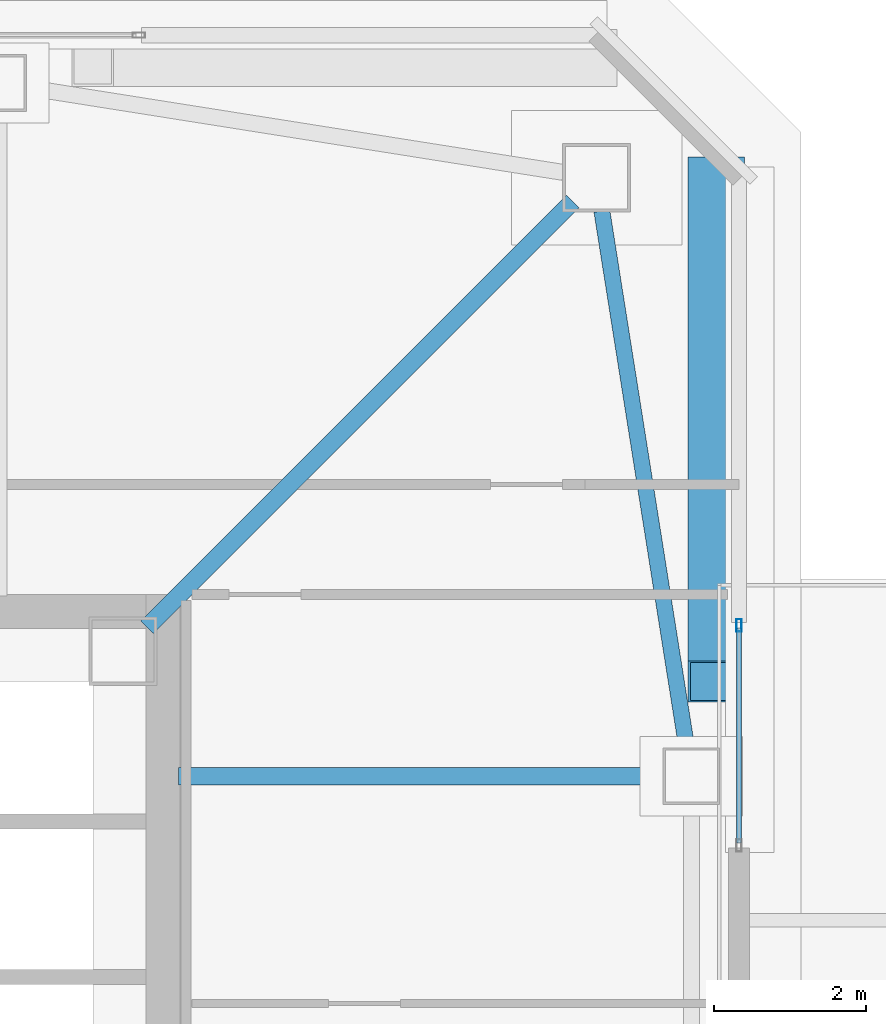
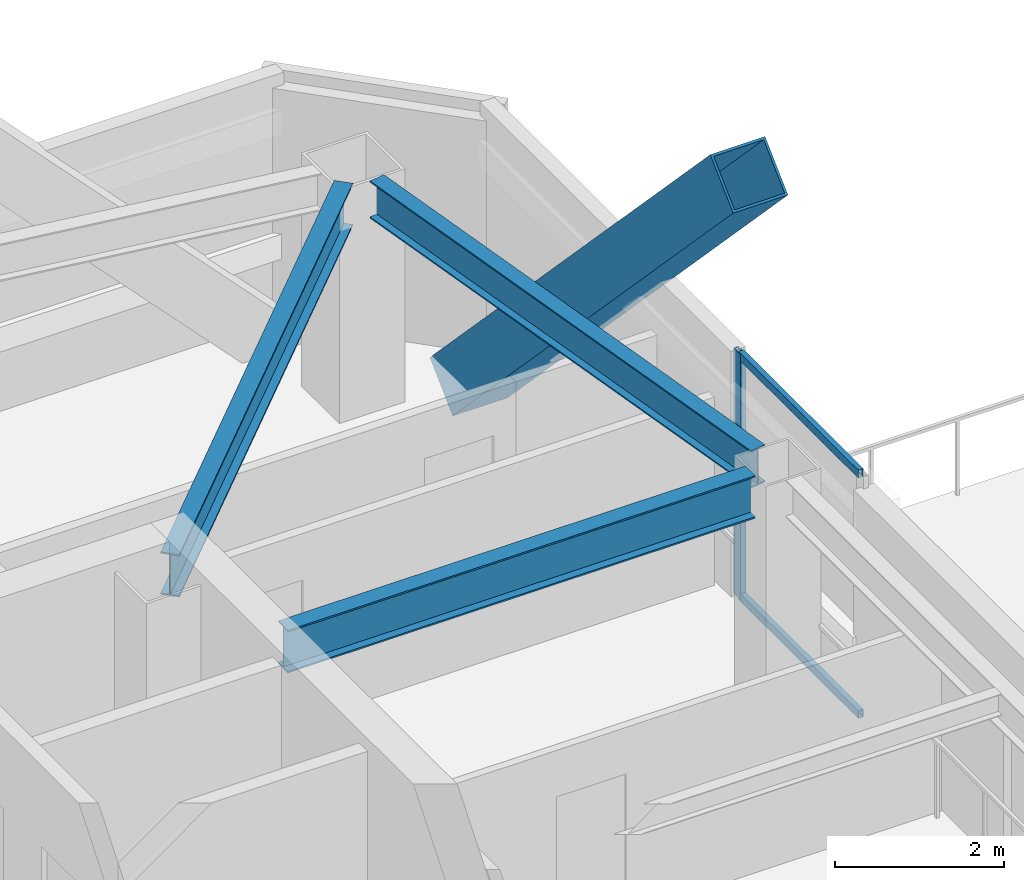
# One storey, part 12 of 37: 4 members, 3 beams, 1 element without a shape of its own.
"""IFC4 building model written with IfcOpenShell, lengths in metres."""

from ifc_helpers import new_model, si_unit, direction, frame, origin, origin_2d, place, context, subcontext, project, spatial, hollow_rectangle, i_section, extrude, material, material_profile, profile_set, type_object, element, aggregate, save


model = new_model("IFC4")

# Units and contexts
model_context = context("Model", 3, precision=1e-05, world=origin(), true_north=direction((0.0, 1.0)))
body_context = subcontext(model_context, "Body", "Model", "MODEL_VIEW")
ifc_project = project(units=[si_unit("LENGTHUNIT", "METRE"), si_unit("AREAUNIT", "SQUARE_METRE"), si_unit("VOLUMEUNIT", "CUBIC_METRE"), si_unit("PLANEANGLEUNIT", "RADIAN"), si_unit("MASSUNIT", "GRAM", prefix="KILO")], contexts=[model_context])

# Site, building, storey
site_placement = place(None, origin())
site = spatial("IfcSite", under=ifc_project, at=site_placement, CompositionType="ELEMENT")
building_placement = place(site_placement, origin())
building = spatial("IfcBuilding", under=site, at=building_placement, Name="Tashvorn Skyway Center", CompositionType="ELEMENT")
storey_placement = place(building_placement, frame((0.0, 0.0, 263.39990234375)))
storey = spatial("IfcBuildingStorey", under=building, at=storey_placement, Name="L71", CompositionType="ELEMENT", Elevation=263.39990234375)

# Beams
ifc_material_1 = material(Name="Steel ASTM A992 Grade 50", Category="steel")
ifc_material_profile_1 = material_profile(ifc_material_1, i_section(OverallWidth=0.22998046875, OverallDepth=0.616943359375, WebThickness=0.01318359375, FlangeThickness=0.022216796875, at=origin_2d()), Name="W24X94")
ifc_profile_set_1 = profile_set([ifc_material_profile_1], Name="Steel ASTM A992 Grade 50")
beam_type_1 = type_object("IfcBeamType", Name="BM-BEAM-W24X94", PredefinedType="BEAM", material=ifc_profile_set_1)
beam_1_placement = place(storey_placement, frame((54.9853515625, 44.9853515625, 3.0615234375), z_axis=(-0.707106781187, -0.707106781187, 0.0), x_axis=(0.707106781187, -0.707106781187, 0.0)))
element("IfcBeam", 1, at=beam_1_placement, inside=storey, type_object=beam_type_1, Name="Tower 1 L71 Primary Floor Girder MC-NE", PredefinedType="BEAM", context=body_context, shape_type="SweptSolid", body=[
    extrude(i_section(OverallWidth=0.22998046875, OverallDepth=0.616943359375, WebThickness=0.01318359375, FlangeThickness=0.022216796875, at=origin_2d()), origin(), (0.0, 0.0, 1.0), 7.94873046875),
])
beam_2_placement = place(storey_placement, frame((56.179931640625, 37.39990234375, 3.0615234375), z_axis=(-1.0, 0.0, 0.0), x_axis=(0.0, -1.0, 0.0)))
element("IfcBeam", 2, at=beam_2_placement, inside=storey, type_object=beam_type_1, Name="Tower 1 L71 Primary Floor Girder FC-E2", PredefinedType="BEAM", context=body_context, shape_type="SweptSolid", body=[
    extrude(i_section(OverallWidth=0.22998046875, OverallDepth=0.616943359375, WebThickness=0.01318359375, FlangeThickness=0.022216796875, at=origin_2d()), origin(), (0.0, 0.0, 1.0), 6.39990234375),
])
ifc_material_profile_2 = material_profile(ifc_material_1, i_section(OverallWidth=0.2109375, OverallDepth=0.5390625, WebThickness=0.01171875, FlangeThickness=0.018798828125, at=origin_2d()), Name="W21X73")
ifc_profile_set_2 = profile_set([ifc_material_profile_2], Name="Steel ASTM A992 Grade 50")
beam_type_2 = type_object("IfcBeamType", Name="BM-SPANDREL-W21X73", PredefinedType="SPANDREL", material=ifc_profile_set_2)
beam_3_placement = place(storey_placement, frame((56.4921875, 37.765380859375, 3.1005859375), z_axis=(-0.156274976, 0.987713587978, 0.0), x_axis=(-0.987713587978, -0.156274976, 0.0)))
element("IfcBeam", 3, at=beam_3_placement, inside=storey, type_object=beam_type_2, Name="Tower 1 L71 Spandrel Beam 06", PredefinedType="SPANDREL", context=body_context, shape_type="SweptSolid", body=[
    extrude(i_section(OverallWidth=0.2109375, OverallDepth=0.5390625, WebThickness=0.01171875, FlangeThickness=0.018798828125, at=origin_2d()), origin(), (0.0, 0.0, 1.0), 7.18310546875),
])

# Curtain wall, members
ifc_material_2 = material(Name="Thermally broken bronze-anodized aluminium 6063-T6", Category="aluminium")
curtain_wall_type = type_object("IfcCurtainWallType", Name="CW-CW-Z5", PredefinedType="NOTDEFINED", material=ifc_material_2)
curtain_wall_placement = place(storey_placement, origin())
curtain_wall = element("IfcCurtainWall", 4, at=curtain_wall_placement, inside=storey, type_object=curtain_wall_type, Name="Tower 1 L71 East Curtain Wall L Glazing Group 1", PredefinedType="NOTDEFINED")
ifc_material_profile_3 = material_profile(ifc_material_2, hollow_rectangle(XDim=0.070068359375, YDim=0.1650390625, WallThickness=0.00390625, at=origin_2d()), Name="ALU-MULL-70x165")
ifc_profile_set_3 = profile_set([ifc_material_profile_3], Name="Thermally broken bronze-anodized aluminium 6063-T6")
member_type_1 = type_object("IfcMemberType", Name="CWM-CW-Z5", PredefinedType="MULLION", material=ifc_profile_set_3)
member_1_placement = place(storey_placement, frame((57.179931640625, 39.3916015625, 0.0), z_axis=(0.0, 0.0, 1.0), x_axis=(1.0, 0.0, 0.0)))
member_1 = element("IfcMember", 5, at=member_1_placement, type_object=member_type_1, Name="CW-Z5 mullion 1", PredefinedType="MULLION", context=body_context, shape_type="SweptSolid", body=[
    extrude(hollow_rectangle(XDim=0.070068359375, YDim=0.1650390625, WallThickness=0.00390625, at=origin_2d()), origin(), (0.0, 0.0, 1.0), 3.550048828125),
])
ifc_material_profile_4 = material_profile(ifc_material_2, hollow_rectangle(XDim=0.070068359375, YDim=0.114990234375, WallThickness=0.00390625, at=origin_2d()), Name="ALU-TRAN-70x115")
ifc_profile_set_4 = profile_set([ifc_material_profile_4], Name="Thermally broken bronze-anodized aluminium 6063-T6")
member_type_2 = type_object("IfcMemberType", Name="CWT-CW-Z5", PredefinedType="USERDEFINED", material=ifc_profile_set_4)
member_2_placement = place(storey_placement, frame((57.179931640625, 39.356689453125, 0.03515625), z_axis=(0.0, -1.0, 0.0), x_axis=(1.0, 0.0, 0.0)))
member_2 = element("IfcMember", 6, at=member_2_placement, type_object=member_type_2, Name="CW-Z5 transom 1.1", ObjectType="TRANSOM", PredefinedType="USERDEFINED", context=body_context, shape_type="SweptSolid", body=[
    extrude(hollow_rectangle(XDim=0.070068359375, YDim=0.114990234375, WallThickness=0.00390625, at=origin_2d()), origin(), (0.0, 0.0, 1.0), 2.836669921875),
])
member_3_placement = place(storey_placement, frame((57.179931640625, 39.356689453125, 3.51513671875), z_axis=(0.0, -1.0, 0.0), x_axis=(1.0, 0.0, 0.0)))
member_3 = element("IfcMember", 7, at=member_3_placement, type_object=member_type_2, Name="CW-Z5 transom 1.2", ObjectType="TRANSOM", PredefinedType="USERDEFINED", context=body_context, shape_type="SweptSolid", body=[
    extrude(hollow_rectangle(XDim=0.070068359375, YDim=0.114990234375, WallThickness=0.00390625, at=origin_2d()), origin(), (0.0, 0.0, 1.0), 2.836669921875),
])
aggregate(curtain_wall, [member_1, member_2, member_3])

# Member
ifc_material_3 = material(Name="Steel ASTM A572 Grade 50", Category="steel")
ifc_material_profile_5 = material_profile(ifc_material_3, hollow_rectangle(XDim=0.75, YDim=0.75, WallThickness=0.031982421875, at=origin_2d()), Name="BOX750x750x32")
ifc_profile_set_5 = profile_set([ifc_material_profile_5], Name="Steel ASTM A572 Grade 50")
member_type_3 = type_object("IfcMemberType", Name="MEM-MB-750", PredefinedType="BRACE", material=ifc_profile_set_5)
member_4_placement = place(storey_placement, frame((56.8798828125, 45.300048828125, -0.31982421875), z_axis=(0.0, -0.690312384492, 0.723511445533), x_axis=(1.0, 0.0, 0.0)))
element("IfcMember", 8, at=member_4_placement, inside=storey, type_object=member_type_3, Name="Tower 1 Zone 7 E Chevron Mega-Brace R1", PredefinedType="BRACE", context=body_context, shape_type="SweptSolid", body=[
    extrude(hollow_rectangle(XDim=0.75, YDim=0.75, WallThickness=0.031982421875, at=origin_2d()), origin(), (0.0, 0.0, 1.0), 9.633544921875),
])

save(model, "model.ifc")
